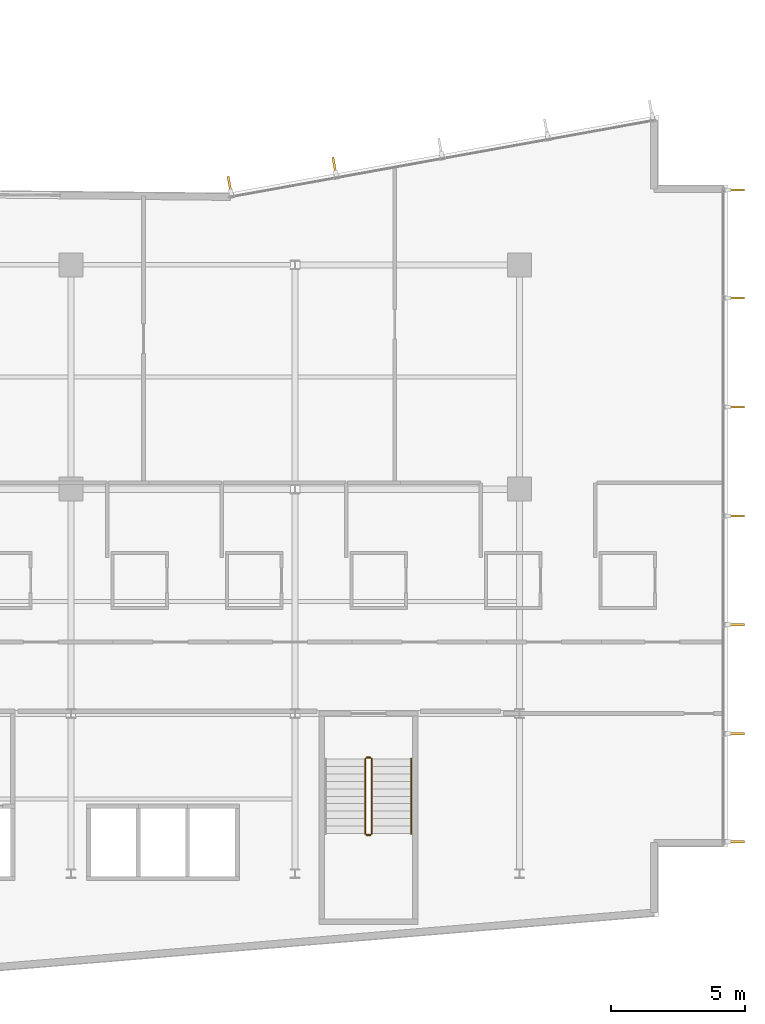
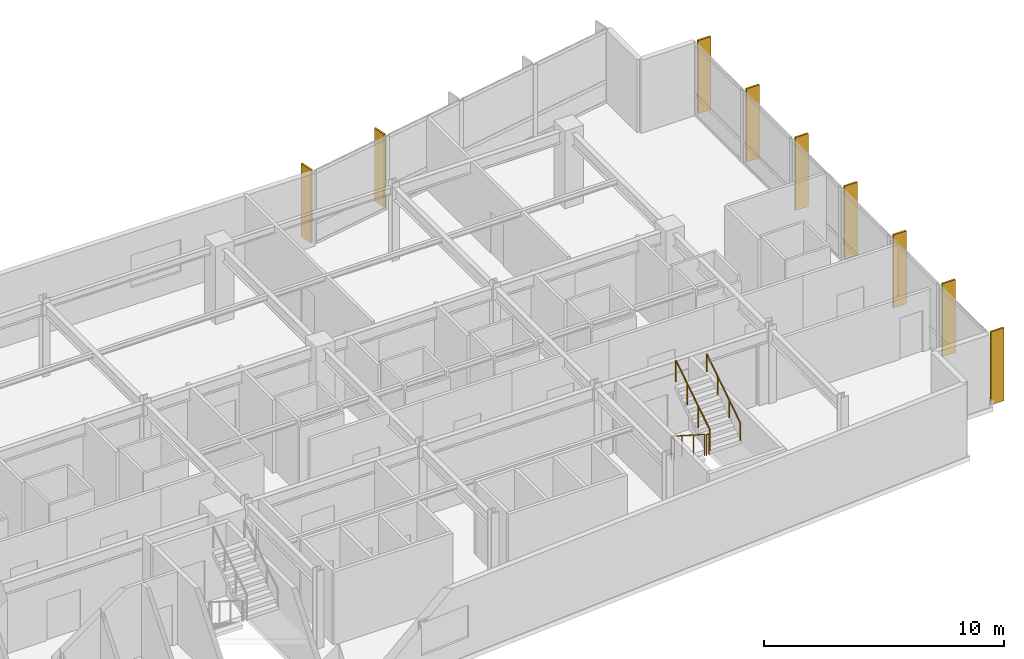
# One storey, part 19 of 21: 9 shading devices, 5 railings.
"""IFC4 building model written with IfcOpenShell, lengths in metres."""

from ifc_helpers import new_model, si_unit, direction, frame, origin, origin_2d, place, context, subcontext, project, spatial, rectangle, circle, extrude, material, layer, layer_set, type_object, element, save


model = new_model("IFC4")

# Units and contexts
model_context = context("Model", 3, precision=1e-05, world=origin(), true_north=direction((0.0, 1.0)))
body_context = subcontext(model_context, "Body", "Model", "MODEL_VIEW")
ifc_project = project(units=[si_unit("LENGTHUNIT", "METRE"), si_unit("AREAUNIT", "SQUARE_METRE"), si_unit("VOLUMEUNIT", "CUBIC_METRE"), si_unit("PLANEANGLEUNIT", "RADIAN"), si_unit("MASSUNIT", "GRAM", prefix="KILO")], contexts=[model_context])

# Site, building, storey
site_placement = place(None, origin())
site = spatial("IfcSite", under=ifc_project, at=site_placement, CompositionType="ELEMENT")
building_placement = place(site_placement, origin())
building = spatial("IfcBuilding", under=site, at=building_placement, Name="Varnakote Quay Hospital", CompositionType="ELEMENT")
storey_placement = place(building_placement, frame((0.0, 0.0, 38.300048828125)))
storey = spatial("IfcBuildingStorey", under=building, at=storey_placement, Name="L09", CompositionType="ELEMENT", Elevation=38.300048828125)

# Railings
ifc_material_1 = material(Name="Brushed stainless steel balustrade", Category="steel")
railing_type_1 = type_object("IfcRailingType", Name="RLG-STAIR-GUARD-1150", PredefinedType="GUARDRAIL", material=ifc_material_1)
railing_1_placement = place(storey_placement, frame((44.6298828125, 10.300048828125, 0.179443359375)))
element("IfcRailing", 1, at=railing_1_placement, inside=storey, type_object=railing_type_1, Name="L09 ST-03 stair guard 1", PredefinedType="GUARDRAIL", context=body_context, shape_type="SweptSolid", body=[
    extrude(circle(Radius=0.02392578125, at=origin_2d()), frame((0.0, 0.0, 1.076171875), z_axis=(0.0, -0.841809871826, 0.539774156196), x_axis=(1.0, 0.0, 0.0)), (0.0, 0.0, 1.0), 3.326171875),
    extrude(circle(Radius=0.02099609375, at=origin_2d()), origin(), (0.0, 0.0, 1.0), 1.052001953125),
    extrude(circle(Radius=0.02099609375, at=origin_2d()), frame((0.0, -0.933349609375, 0.598388671875)), (0.0, 0.0, 1.0), 1.052001953125),
    extrude(circle(Radius=0.02099609375, at=origin_2d()), frame((0.0, -1.86669921875, 1.197021484375)), (0.0, 0.0, 1.0), 1.052001953125),
    extrude(circle(Radius=0.02099609375, at=origin_2d()), frame((0.0, -2.800048828125, 1.79541015625)), (0.0, 0.0, 1.0), 1.052001953125),
])
railing_2_placement = place(storey_placement, frame((44.679931640625, 7.449951171875, 1.974853515625)))
element("IfcRailing", 2, at=railing_2_placement, inside=storey, type_object=railing_type_1, Name="L09 ST-03 stair guard 2", PredefinedType="GUARDRAIL", context=body_context, shape_type="SweptSolid", body=[
    extrude(circle(Radius=0.02392578125, at=origin_2d()), frame((0.0, 0.0, 1.076171875), z_axis=(1.0, 0.0, 0.0), x_axis=(0.0, 1.0, 0.0)), (0.0, 0.0, 1.0), 0.14013671875),
    extrude(circle(Radius=0.02099609375, at=origin_2d()), origin(), (0.0, 0.0, 1.0), 1.052001953125),
    extrude(circle(Radius=0.02099609375, at=origin_2d()), frame((0.14013671875, 0.0, 0.0)), (0.0, 0.0, 1.0), 1.052001953125),
])
railing_3_placement = place(storey_placement, frame((44.8701171875, 7.5, 2.154541015625)))
element("IfcRailing", 3, at=railing_3_placement, inside=storey, type_object=railing_type_1, Name="L09 ST-03 stair guard 3", PredefinedType="GUARDRAIL", context=body_context, shape_type="SweptSolid", body=[
    extrude(circle(Radius=0.02392578125, at=origin_2d()), frame((0.0, 0.0, 1.076171875), z_axis=(0.0, 0.841809871826, 0.539774156196), x_axis=(-1.0, 0.0, 0.0)), (0.0, 0.0, 1.0), 3.326171875),
    extrude(circle(Radius=0.02099609375, at=origin_2d()), origin(), (0.0, 0.0, 1.0), 1.052001953125),
    extrude(circle(Radius=0.02099609375, at=origin_2d()), frame((0.0, 0.933349609375, 0.598388671875)), (0.0, 0.0, 1.0), 1.052001953125),
    extrude(circle(Radius=0.02099609375, at=origin_2d()), frame((0.0, 1.86669921875, 1.197021484375)), (0.0, 0.0, 1.0), 1.052001953125),
    extrude(circle(Radius=0.02099609375, at=origin_2d()), frame((0.0, 2.800048828125, 1.79541015625)), (0.0, 0.0, 1.0), 1.052001953125),
])
railing_4_placement = place(storey_placement, frame((44.679931640625, 10.35009765625, 0.0)))
element("IfcRailing", 4, at=railing_4_placement, inside=storey, type_object=railing_type_1, Name="L09 ST-03 stair guard 4", PredefinedType="GUARDRAIL", context=body_context, shape_type="SweptSolid", body=[
    extrude(circle(Radius=0.02392578125, at=origin_2d()), frame((0.0, 0.0, 1.076171875), z_axis=(1.0, 0.0, 0.0), x_axis=(0.0, 1.0, 0.0)), (0.0, 0.0, 1.0), 0.14013671875),
    extrude(circle(Radius=0.02099609375, at=origin_2d()), origin(), (0.0, 0.0, 1.0), 1.052001953125),
    extrude(circle(Radius=0.02099609375, at=origin_2d()), frame((0.14013671875, 0.0, 0.0)), (0.0, 0.0, 1.0), 1.052001953125),
])
ifc_material_2 = material(Name="Brushed stainless steel handrail", Category="steel")
railing_type_2 = type_object("IfcRailingType", Name="RLG-STAIR-HND-920", PredefinedType="HANDRAIL", material=ifc_material_2)
railing_5_placement = place(storey_placement, frame((46.35009765625, 7.5, 2.154541015625)))
element("IfcRailing", 5, at=railing_5_placement, inside=storey, type_object=railing_type_2, Name="L09 ST-03 stair handrail 2", PredefinedType="HANDRAIL", context=body_context, shape_type="SweptSolid", body=[
    extrude(circle(Radius=0.02392578125, at=origin_2d()), frame((0.0, 0.0, 0.8759765625), z_axis=(0.0, 0.841809871826, 0.539774156196), x_axis=(-1.0, 0.0, 0.0)), (0.0, 0.0, 1.0), 3.326171875),
    extrude(circle(Radius=0.02099609375, at=origin_2d()), origin(), (0.0, 0.0, 1.0), 0.851806640625),
    extrude(circle(Radius=0.02099609375, at=origin_2d()), frame((0.0, 0.933349609375, 0.598388671875)), (0.0, 0.0, 1.0), 0.851806640625),
    extrude(circle(Radius=0.02099609375, at=origin_2d()), frame((0.0, 1.86669921875, 1.197021484375)), (0.0, 0.0, 1.0), 0.851806640625),
    extrude(circle(Radius=0.02099609375, at=origin_2d()), frame((0.0, 2.800048828125, 1.79541015625)), (0.0, 0.0, 1.0), 0.851806640625),
])

# Shading devices
ifc_material_3 = material(Name="Anodised aluminium 6063-T6 Bronze", Category="aluminium")
ifc_layer = layer(ifc_material_3, 0.0849609375)
ifc_layer_set = layer_set([ifc_layer], Name="Anodised aluminium 6063-T6 Bronze")
shading_device_type = type_object("IfcShadingDeviceType", Name="SHD-BRONZE-FIN-620", PredefinedType="USERDEFINED", material=ifc_layer_set)
for number, where, z_axis, x_axis, name in (
    (6, (58.510009765625, 7.197509765625, 0.0), (0.0, 0.0, 1.0), (-1.0, 0.0, 0.0), "L09 Anodised Bronze Vertical Shading FIN"),
    (7, (58.510009765625, 11.239990234375, 0.0), (0.0, 0.0, 1.0), (-1.0, 0.0, 0.0), "L09 Anodised Bronze Vertical Shading FIN"),
    (8, (58.510009765625, 15.320068359375, 0.0), (0.0, 0.0, 1.0), (-1.0, 0.0, 0.0), "L09 Anodised Bronze Vertical Shading FIN"),
    (9, (58.510009765625, 19.39990234375, 0.0), (0.0, 0.0, 1.0), (-1.0, 0.0, 0.0), "L09 Anodised Bronze Vertical Shading FIN"),
    (10, (58.510009765625, 23.47998046875, 0.0), (0.0, 0.0, 1.0), (-1.0, 0.0, 0.0), "L09 Anodised Bronze Vertical Shading FIN"),
    (11, (58.510009765625, 27.56005859375, 0.0), (0.0, 0.0, 1.0), (-1.0, 0.0, 0.0), "L09 Anodised Bronze Vertical Shading FIN"),
    (12, (58.510009765625, 31.6025390625, 0.0), (0.0, 0.0, 1.0), (-1.0, 0.0, 0.0), "L09 Anodised Bronze Vertical Shading FIN"),
    (13, (43.468505859375, 32.522705078125, 0.0), (0.0, 0.0, 1.0), (0.177771795263, -0.984071739666, 0.0), "L09 Anodised Bronze Vertical Shading FIN"),
    (14, (39.54296875, 31.81298828125, 0.0), (0.0, 0.0, 1.0), (0.177771795263, -0.984071739666, 0.0), "L09 Anodised Bronze Vertical Shading FIN"),
):
    element("IfcShadingDevice", number, at=place(storey_placement, frame(where, z_axis=z_axis, x_axis=x_axis)), inside=storey, type_object=shading_device_type, Name=name, ObjectType="FIN", PredefinedType="USERDEFINED", context=body_context, shape_type="SweptSolid", body=[
        extrude(rectangle(XDim=0.6201171875, YDim=0.0849609375, at=origin_2d()), origin(), (0.0, 0.0, 1.0), 3.7099609375),
    ])

save(model, "model.ifc")
